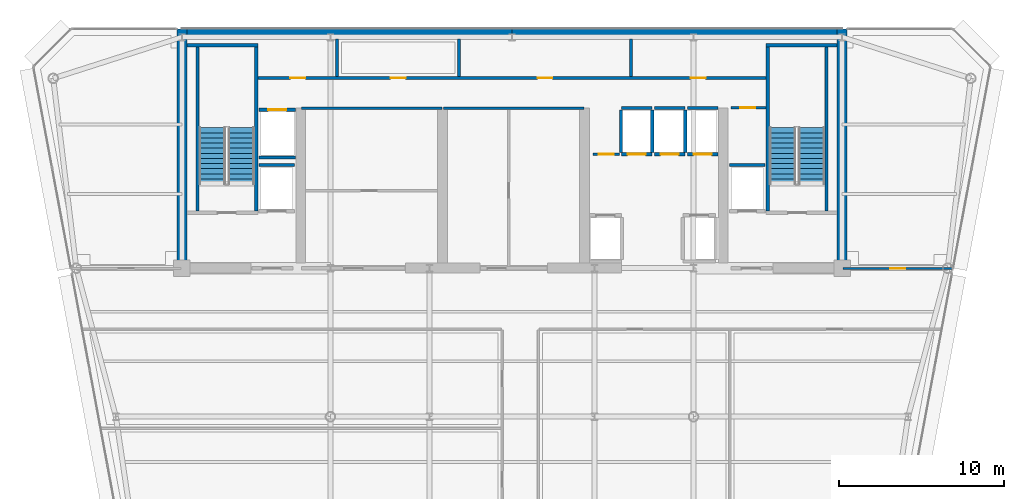
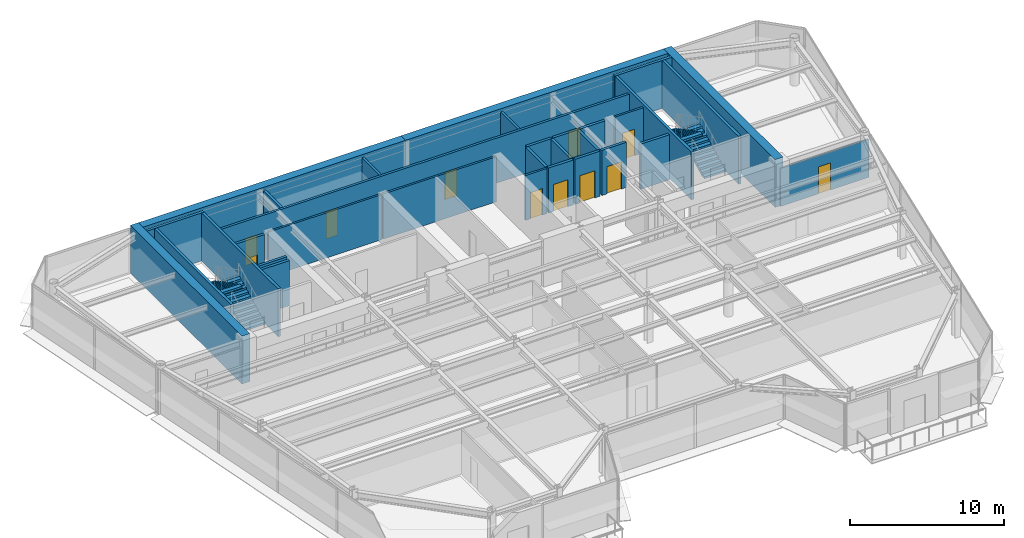
# One storey, part 10 of 14: 32 walls, 11 doors, 4 stair flights, 11 openings, 2 elements without a shape of their own.
"""IFC4 building model written with IfcOpenShell, lengths in metres."""

from ifc_helpers import new_model, si_unit, direction, frame, frame_2d, origin, place, context, subcontext, project, spatial, polyline, rectangle, outline, extrude, source, transform, mapped, material, layer, layer_set, type_object, element, fill, aggregate, save


model = new_model("IFC4")

# Units and contexts
model_context = context("Model", 3, precision=1e-05, world=origin(), true_north=direction((0.0, 1.0)))
body_context = subcontext(model_context, "Body", "Model", "MODEL_VIEW")
ifc_project = project(units=[si_unit("LENGTHUNIT", "METRE"), si_unit("AREAUNIT", "SQUARE_METRE"), si_unit("VOLUMEUNIT", "CUBIC_METRE"), si_unit("PLANEANGLEUNIT", "RADIAN"), si_unit("MASSUNIT", "GRAM", prefix="KILO")], contexts=[model_context])

# Site, building, storey
site_placement = place(None, origin())
site = spatial("IfcSite", under=ifc_project, at=site_placement, CompositionType="ELEMENT")
building_placement = place(site_placement, origin())
building = spatial("IfcBuilding", under=site, at=building_placement, Name="Vaeldorn Concourse Tower", CompositionType="ELEMENT")
storey_placement = place(building_placement, frame((0.0, 0.0, 238.39990234375)))
storey = spatial("IfcBuildingStorey", under=building, at=storey_placement, Name="L61", CompositionType="ELEMENT", Elevation=238.39990234375)

# Walls
ifc_material_1 = material(Name="Concrete C50/60", Category="concrete")
ifc_layer_1 = layer(ifc_material_1, 0.60009765625)
ifc_layer_set_1 = layer_set([ifc_layer_1], Name="Concrete C50/60")
wall_type_1 = type_object("IfcWallType", Name="WL-CORE-600", PredefinedType="SHEAR", material=ifc_layer_set_1)
for number, where, z_axis, x_axis, name in (
    (1, (14.303955078125, 50.699951171875, 0.0), (0.0, 0.0, 1.0), (1.0, 0.0, 0.0), "Rear Core Shear Wall L61 N1"),
    (2, (34.001953125, 50.699951171875, 0.0), (0.0, 0.0, 1.0), (1.0, 0.0, 0.0), "Rear Core Shear Wall L61 N2"),
):
    element("IfcWall", number, at=place(storey_placement, frame(where, z_axis=z_axis, x_axis=x_axis)), inside=storey, type_object=wall_type_1, Name=name, PredefinedType="SHEAR", context=body_context, shape_type="SweptSolid", body=[
        extrude(rectangle(XDim=19.694091796875, YDim=0.60009765625, at=frame_2d((9.84716796875, 0.0))), origin(), (0.0, 0.0, 1.0), 3.800048828125),
    ])
for number, where, z_axis, x_axis, name in (
    (3, (14.0, 36.5, 0.0), (0.0, 0.0, 1.0), (0.0, 1.0, 0.0), "Rear Core Shear Wall L61 W1"),
    (4, (54.0, 36.5, 0.0), (0.0, 0.0, 1.0), (0.0, 1.0, 0.0), "Rear Core Shear Wall L61 E1"),
):
    element("IfcWall", number, at=place(storey_placement, frame(where, z_axis=z_axis, x_axis=x_axis)), inside=storey, type_object=wall_type_1, Name=name, PredefinedType="SHEAR", context=body_context, shape_type="SweptSolid", body=[
        extrude(rectangle(XDim=14.5, YDim=0.60009765625, at=frame_2d((7.25, 0.0))), origin(), (0.0, 0.0, 1.0), 3.800048828125),
    ])

# Wall, opening, door
ifc_material_2 = material(Name="Gypsum Board Partition", Category="gypsum")
ifc_layer_2 = layer(ifc_material_2, 0.1201171875)
ifc_layer_set_2 = layer_set([ifc_layer_2], Name="Gypsum Board Partition")
wall_type_2 = type_object("IfcWallType", Name="WL-PART-120", PredefinedType="PARTITIONING", material=ifc_layer_set_2)
wall_1_placement = place(storey_placement, frame((54.06005859375, 36.47998046875, 0.0), z_axis=(0.0, 0.0, 1.0), x_axis=(1.0, 0.0, 0.0)))
wall_1 = element("IfcWall", 5, at=wall_1_placement, inside=storey, type_object=wall_type_2, Name="Interior Wall PW-L61-NES", PredefinedType="PARTITIONING", context=body_context, shape_type="SweptSolid", body=[
    extrude(rectangle(XDim=6.618896484375, YDim=0.1201171875, at=frame_2d((3.3095703125, 0.0))), origin(), (0.0, 0.0, 1.0), 3.02001953125),
])
opening_1_placement = place(wall_1_placement, frame((2.85888671875, 0.0, 0.0)))
opening_1 = element("IfcOpeningElement", 6, at=opening_1_placement, cuts=wall_1, Name="Opening D-03", PredefinedType="OPENING", context=body_context, shape_type="SweptSolid", body=[
    extrude(rectangle(XDim=0.89990234375, YDim=2.14990234375, at=frame_2d((0.449951171875, 1.074951171875))), frame((0.0, 0.070068359375, 0.0), z_axis=(0.0, -1.0, 0.0), x_axis=(1.0, 0.0, 0.0)), (0.0, 0.0, 1.0), 0.14013671875),
])
ifc_material_3 = material(Name="Acoustic Bronze-Framed Glass Door", Category="glass")
door_type_1 = type_object("IfcDoorType", Name="DR-INT-900", OperationType="NOTDEFINED", PredefinedType="DOOR", material=ifc_material_3)
shared_shape_1 = source(origin(), body_context, "Body", "SweptSolid", [
    extrude(rectangle(XDim=0.89990234375, YDim=2.14990234375, at=frame_2d((0.449951171875, 1.074951171875))), frame((0.0, 0.02490234375, 0.0), z_axis=(0.0, -1.0, 0.0), x_axis=(1.0, 0.0, 0.0)), (0.0, 0.0, 1.0), 0.050048828125),
])
door_1_placement = place(opening_1_placement, origin())
door_1 = element("IfcDoor", 7, at=door_1_placement, inside=storey, type_object=door_type_1, Name="Interior Door DR-L61-NEC", OperationType="SINGLE_SWING_RIGHT", OverallHeight=2.14990234375, OverallWidth=0.89990234375, PredefinedType="DOOR", context=body_context, shape_type="MappedRepresentation", body=[
    mapped(shared_shape_1, transform((0.0, 0.0, 0.0), scale=1.0)),
])
fill(opening_1, door_1)

# Walls
ifc_layer_3 = layer(ifc_material_2, 0.14990234375)
ifc_layer_set_3 = layer_set([ifc_layer_3], Name="Gypsum Board Partition")
wall_type_3 = type_object("IfcWallType", Name="WL-PART-150", PredefinedType="PARTITIONING", material=ifc_layer_set_3)
for number, where, z_axis, x_axis, name in (
    (8, (21.25, 46.199951171875, 0.0), (0.0, 0.0, 1.0), (1.0, 0.0, 0.0), "Interior Wall CW-L61-R1N"),
    (9, (29.85009765625, 46.199951171875, 0.0), (0.0, 0.0, 1.0), (1.0, 0.0, 0.0), "Interior Wall CW-L61-R2N"),
):
    element("IfcWall", number, at=place(storey_placement, frame(where, z_axis=z_axis, x_axis=x_axis)), inside=storey, type_object=wall_type_3, Name=name, PredefinedType="PARTITIONING", context=body_context, shape_type="SweptSolid", body=[
        extrude(rectangle(XDim=8.5, YDim=0.14990234375, at=frame_2d((4.25, 0.0))), origin(), (0.0, 0.0, 1.0), 3.580078125),
    ])

# Wall, opening, door
wall_2_placement = place(storey_placement, frame((47.280029296875, 46.219970703125, 0.0), z_axis=(0.0, 0.0, 1.0), x_axis=(1.0, 0.0, 0.0)))
wall_2 = element("IfcWall", 10, at=wall_2_placement, inside=storey, type_object=wall_type_3, Name="Interior Wall CW-L61-CRSE-N", PredefinedType="PARTITIONING", context=body_context, shape_type="SweptSolid", body=[
    extrude(rectangle(XDim=2.099853515625, YDim=0.14990234375, at=frame_2d((1.0498046875, 0.0))), origin(), (0.0, 0.0, 1.0), 3.580078125),
])
opening_2_placement = place(wall_2_placement, frame((0.550048828125, 0.0, 0.0)))
opening_2 = element("IfcOpeningElement", 11, at=opening_2_placement, cuts=wall_2, Name="Opening D-02", PredefinedType="OPENING", context=body_context, shape_type="SweptSolid", body=[
    extrude(rectangle(XDim=0.89990234375, YDim=2.10009765625, at=frame_2d((0.449951171875, 1.050048828125))), frame((0.0, 0.0849609375, 0.0), z_axis=(0.0, -1.0, 0.0), x_axis=(1.0, 0.0, 0.0)), (0.0, 0.0, 1.0), 0.169921875),
])
ifc_material_4 = material(Name="Fire-Rated Timber Leaf", Category="wood")
door_type_2 = type_object("IfcDoorType", Name="DR-FD30-900", OperationType="NOTDEFINED", PredefinedType="DOOR", material=ifc_material_4)
shared_shape_2 = source(origin(), body_context, "Body", "SweptSolid", [
    extrude(rectangle(XDim=0.89990234375, YDim=2.10009765625, at=frame_2d((0.449951171875, 1.050048828125))), frame((0.0, 0.02490234375, 0.0), z_axis=(0.0, -1.0, 0.0), x_axis=(1.0, 0.0, 0.0)), (0.0, 0.0, 1.0), 0.050048828125),
])
door_2_placement = place(opening_2_placement, origin())
door_2 = element("IfcDoor", 12, at=door_2_placement, inside=storey, type_object=door_type_2, Name="Interior Door DR-L61-CRSE", OperationType="SINGLE_SWING_RIGHT", OverallHeight=2.10009765625, OverallWidth=0.89990234375, PredefinedType="DOOR", context=body_context, shape_type="MappedRepresentation", body=[
    mapped(shared_shape_2, transform((0.0, 0.0, 0.0), scale=1.0)),
])
fill(opening_2, door_2)

wall_3_placement = place(storey_placement, frame((38.919921875, 43.39990234375, 0.0), z_axis=(0.0, 0.0, 1.0), x_axis=(1.0, 0.0, 0.0)))
wall_3 = element("IfcWall", 13, at=wall_3_placement, inside=storey, type_object=wall_type_3, Name="Interior Wall CW-L61-CCLINK", PredefinedType="PARTITIONING", context=body_context, shape_type="SweptSolid", body=[
    extrude(rectangle(XDim=1.60009765625, YDim=0.14990234375, at=frame_2d((0.800048828125, 0.0))), origin(), (0.0, 0.0, 1.0), 3.580078125),
])
opening_3_placement = place(wall_3_placement, frame((0.35009765625, 0.0, 0.0)))
opening_3 = element("IfcOpeningElement", 14, at=opening_3_placement, cuts=wall_3, Name="Opening D-02", PredefinedType="OPENING", context=body_context, shape_type="SweptSolid", body=[
    extrude(rectangle(XDim=0.89990234375, YDim=2.10009765625, at=frame_2d((0.449951171875, 1.050048828125))), frame((0.0, 0.0849609375, 0.0), z_axis=(0.0, -1.0, 0.0), x_axis=(1.0, 0.0, 0.0)), (0.0, 0.0, 1.0), 0.169921875),
])
door_3_placement = place(opening_3_placement, origin())
door_3 = element("IfcDoor", 15, at=door_3_placement, inside=storey, type_object=door_type_2, Name="Interior Door DR-L61-CCLINK", OperationType="SINGLE_SWING_LEFT", OverallHeight=2.10009765625, OverallWidth=0.89990234375, PredefinedType="DOOR", context=body_context, shape_type="MappedRepresentation", body=[
    mapped(shared_shape_2, transform((0.0, 0.0, 0.0), scale=1.0)),
])
fill(opening_3, door_3)

# Wall, openings, doors
ifc_layer_4 = layer(ifc_material_2, 0.179931640625)
ifc_layer_set_4 = layer_set([ifc_layer_4], Name="Gypsum Board Partition")
wall_type_4 = type_object("IfcWallType", Name="WL-PLUMB-180", PredefinedType="PLUMBINGWALL", material=ifc_layer_set_4)
wall_4_placement = place(storey_placement, frame((18.6201171875, 48.02001953125, 0.0), z_axis=(0.0, 0.0, 1.0), x_axis=(1.0, 0.0, 0.0)))
wall_4 = element("IfcWall", 16, at=wall_4_placement, inside=storey, type_object=wall_type_4, Name="Interior Wall CW-L61-NS0", PredefinedType="PLUMBINGWALL", context=body_context, shape_type="SweptSolid", body=[
    extrude(rectangle(XDim=30.759765625, YDim=0.179931640625, at=frame_2d((15.3798828125, 0.0))), origin(), (0.0, 0.0, 1.0), 3.580078125),
])
opening_4_placement = place(wall_4_placement, frame((1.955078125, 0.0, 0.0)))
opening_4 = element("IfcOpeningElement", 17, at=opening_4_placement, cuts=wall_4, Name="Opening D-03", PredefinedType="OPENING", context=body_context, shape_type="SweptSolid", body=[
    extrude(rectangle(XDim=0.89990234375, YDim=2.14990234375, at=frame_2d((0.449951171875, 1.074951171875))), frame((0.0, 0.10009765625, 0.0), z_axis=(0.0, -1.0, 0.0), x_axis=(1.0, 0.0, 0.0)), (0.0, 0.0, 1.0), 0.199951171875),
])
opening_5_placement = place(wall_4_placement, frame((8.030029296875, 0.0, 0.0)))
opening_5 = element("IfcOpeningElement", 18, at=opening_5_placement, cuts=wall_4, Name="Opening D-03", PredefinedType="OPENING", context=body_context, shape_type="SweptSolid", body=[
    extrude(rectangle(XDim=0.89990234375, YDim=2.14990234375, at=frame_2d((0.449951171875, 1.074951171875))), frame((0.0, 0.10009765625, 0.0), z_axis=(0.0, -1.0, 0.0), x_axis=(1.0, 0.0, 0.0)), (0.0, 0.0, 1.0), 0.199951171875),
])
opening_6_placement = place(wall_4_placement, frame((16.929931640625, 0.0, 0.0)))
opening_6 = element("IfcOpeningElement", 19, at=opening_6_placement, cuts=wall_4, Name="Opening D-03", PredefinedType="OPENING", context=body_context, shape_type="SweptSolid", body=[
    extrude(rectangle(XDim=0.89990234375, YDim=2.14990234375, at=frame_2d((0.449951171875, 1.074951171875))), frame((0.0, 0.10009765625, 0.0), z_axis=(0.0, -1.0, 0.0), x_axis=(1.0, 0.0, 0.0)), (0.0, 0.0, 1.0), 0.199951171875),
])
opening_7_placement = place(wall_4_placement, frame((26.205078125, 0.0, 0.0)))
opening_7 = element("IfcOpeningElement", 20, at=opening_7_placement, cuts=wall_4, Name="Opening D-03", PredefinedType="OPENING", context=body_context, shape_type="SweptSolid", body=[
    extrude(rectangle(XDim=0.89990234375, YDim=2.14990234375, at=frame_2d((0.449951171875, 1.074951171875))), frame((0.0, 0.10009765625, 0.0), z_axis=(0.0, -1.0, 0.0), x_axis=(1.0, 0.0, 0.0)), (0.0, 0.0, 1.0), 0.199951171875),
])
door_4_placement = place(opening_4_placement, origin())
door_4 = element("IfcDoor", 21, at=door_4_placement, inside=storey, type_object=door_type_1, Name="Interior Door DR-L61-CS1", OperationType="SINGLE_SWING_LEFT", OverallHeight=2.14990234375, OverallWidth=0.89990234375, PredefinedType="DOOR", context=body_context, shape_type="MappedRepresentation", body=[
    mapped(shared_shape_1, transform((0.0, 0.0, 0.0), scale=1.0)),
])
fill(opening_4, door_4)
door_5_placement = place(opening_5_placement, origin())
door_5 = element("IfcDoor", 22, at=door_5_placement, inside=storey, type_object=door_type_1, Name="Interior Door DR-L61-CS2", OperationType="SINGLE_SWING_RIGHT", OverallHeight=2.14990234375, OverallWidth=0.89990234375, PredefinedType="DOOR", context=body_context, shape_type="MappedRepresentation", body=[
    mapped(shared_shape_1, transform((0.0, 0.0, 0.0), scale=1.0)),
])
fill(opening_5, door_5)
door_6_placement = place(opening_6_placement, origin())
door_6 = element("IfcDoor", 23, at=door_6_placement, inside=storey, type_object=door_type_1, Name="Interior Door DR-L61-CS3", OperationType="SINGLE_SWING_LEFT", OverallHeight=2.14990234375, OverallWidth=0.89990234375, PredefinedType="DOOR", context=body_context, shape_type="MappedRepresentation", body=[
    mapped(shared_shape_1, transform((0.0, 0.0, 0.0), scale=1.0)),
])
fill(opening_6, door_6)
door_7_placement = place(opening_7_placement, origin())
door_7 = element("IfcDoor", 24, at=door_7_placement, inside=storey, type_object=door_type_1, Name="Interior Door DR-L61-CS4", OperationType="SINGLE_SWING_RIGHT", OverallHeight=2.14990234375, OverallWidth=0.89990234375, PredefinedType="DOOR", context=body_context, shape_type="MappedRepresentation", body=[
    mapped(shared_shape_1, transform((0.0, 0.0, 0.0), scale=1.0)),
])
fill(opening_7, door_7)

# Walls
for number, where, z_axis, x_axis, name in (
    (25, (23.39990234375, 48.10009765625, 0.0), (0.0, 0.0, 1.0), (0.0, 1.0, 0.0), "Interior Wall CW-L61-NDIV1"),
    (26, (30.800048828125, 48.10009765625, 0.0), (0.0, 0.0, 1.0), (0.0, 1.0, 0.0), "Interior Wall CW-L61-NDIV2"),
    (27, (41.199951171875, 48.10009765625, 0.0), (0.0, 0.0, 1.0), (0.0, 1.0, 0.0), "Interior Wall CW-L61-NDIV3"),
):
    element("IfcWall", number, at=place(storey_placement, frame(where, z_axis=z_axis, x_axis=x_axis)), inside=storey, type_object=wall_type_4, Name=name, PredefinedType="PLUMBINGWALL", context=body_context, shape_type="SweptSolid", body=[
        extrude(rectangle(XDim=2.27978515625, YDim=0.179931640625, at=frame_2d((1.139892578125, 0.0))), origin(), (0.0, 0.0, 1.0), 3.580078125),
    ])
ifc_layer_5 = layer(ifc_material_1, 0.199951171875)
ifc_layer_set_5 = layer_set([ifc_layer_5], Name="Concrete C50/60")
wall_type_5 = type_object("IfcWallType", Name="WL-SHAFT-200", PredefinedType="SOLIDWALL", material=ifc_layer_set_5)
wall_5_placement = place(storey_placement, frame((14.300048828125, 50.0, 0.0), z_axis=(0.0, 0.0, 1.0), x_axis=(1.0, 0.0, 0.0)))
element("IfcWall", 28, at=wall_5_placement, inside=storey, type_object=wall_type_5, Name="Stair Shaft Wall CW-L61-ST-1-N", PredefinedType="SOLIDWALL", context=body_context, shape_type="SweptSolid", body=[
    extrude(rectangle(XDim=4.300048828125, YDim=0.199951171875, at=frame_2d((2.14990234375, 0.0))), origin(), (0.0, 0.0, 1.0), 3.800048828125),
])
for number, where, z_axis, x_axis, name in (
    (29, (14.949951171875, 39.9599609375, 0.0), (0.0, 0.0, 1.0), (0.0, 1.0, 0.0), "Stair Shaft Wall CW-L61-ST-1-W"),
    (30, (18.5, 39.9599609375, 0.0), (0.0, 0.0, 1.0), (0.0, 1.0, 0.0), "Stair Shaft Wall CW-L61-ST-1-E"),
):
    element("IfcWall", number, at=place(storey_placement, frame(where, z_axis=z_axis, x_axis=x_axis)), inside=storey, type_object=wall_type_5, Name=name, PredefinedType="SOLIDWALL", context=body_context, shape_type="SweptSolid", body=[
        extrude(rectangle(XDim=9.929931640625, YDim=0.199951171875, at=frame_2d((4.96484375, 0.0))), origin(), (0.0, 0.0, 1.0), 3.800048828125),
    ])
wall_6_placement = place(storey_placement, frame((49.39990234375, 50.0, 0.0), z_axis=(0.0, 0.0, 1.0), x_axis=(1.0, 0.0, 0.0)))
element("IfcWall", 31, at=wall_6_placement, inside=storey, type_object=wall_type_5, Name="Stair Shaft Wall CW-L61-ST-2-N", PredefinedType="SOLIDWALL", context=body_context, shape_type="SweptSolid", body=[
    extrude(rectangle(XDim=4.300048828125, YDim=0.199951171875, at=frame_2d((2.14990234375, 0.0))), origin(), (0.0, 0.0, 1.0), 3.800048828125),
])
for number, where, z_axis, x_axis, name in (
    (32, (49.5, 39.9599609375, 0.0), (0.0, 0.0, 1.0), (0.0, 1.0, 0.0), "Stair Shaft Wall CW-L61-ST-2-W"),
    (33, (53.050048828125, 39.9599609375, 0.0), (0.0, 0.0, 1.0), (0.0, 1.0, 0.0), "Stair Shaft Wall CW-L61-ST-2-E"),
):
    element("IfcWall", number, at=place(storey_placement, frame(where, z_axis=z_axis, x_axis=x_axis)), inside=storey, type_object=wall_type_5, Name=name, PredefinedType="SOLIDWALL", context=body_context, shape_type="SweptSolid", body=[
        extrude(rectangle(XDim=9.929931640625, YDim=0.199951171875, at=frame_2d((4.96484375, 0.0))), origin(), (0.0, 0.0, 1.0), 3.800048828125),
    ])

# Wall, opening, door
wall_7_placement = place(storey_placement, frame((40.6201171875, 43.39990234375, 0.0), z_axis=(0.0, 0.0, 1.0), x_axis=(1.0, 0.0, 0.0)))
wall_7 = element("IfcWall", 34, at=wall_7_placement, inside=storey, type_object=wall_type_5, Name="Interior Wall CW-L61-LF-LF-15", PredefinedType="SOLIDWALL", context=body_context, shape_type="SweptSolid", body=[
    extrude(rectangle(XDim=1.85986328125, YDim=0.199951171875, at=frame_2d((0.929931640625, 0.0))), origin(), (0.0, 0.0, 1.0), 3.580078125),
])
opening_8_placement = place(wall_7_placement, frame((0.3798828125, 0.0, 0.0)))
opening_8 = element("IfcOpeningElement", 35, at=opening_8_placement, cuts=wall_7, Name="Opening LD-1", PredefinedType="OPENING", context=body_context, shape_type="SweptSolid", body=[
    extrude(rectangle(XDim=1.10009765625, YDim=2.14990234375, at=frame_2d((0.550048828125, 1.074951171875))), frame((0.0, 0.10986328125, 0.0), z_axis=(0.0, -1.0, 0.0), x_axis=(1.0, 0.0, 0.0)), (0.0, 0.0, 1.0), 0.219970703125),
])
ifc_material_5 = material(Name="Anodised Bronze Aluminium", Category="aluminium")
door_type_3 = type_object("IfcDoorType", Name="DR-LIFT-SLIDE-1100", OperationType="DOUBLE_DOOR_SLIDING", PredefinedType="DOOR", material=ifc_material_5)
shared_shape_3 = source(origin(), body_context, "Body", "SweptSolid", [
    extrude(rectangle(XDim=1.10009765625, YDim=2.14990234375, at=frame_2d((0.550048828125, 1.074951171875))), frame((0.0, 0.02490234375, 0.0), z_axis=(0.0, -1.0, 0.0), x_axis=(1.0, 0.0, 0.0)), (0.0, 0.0, 1.0), 0.050048828125),
])
door_8_placement = place(opening_8_placement, origin())
door_8 = element("IfcDoor", 36, at=door_8_placement, inside=storey, type_object=door_type_3, Name="Lift Landing Door LD-L61-LF-15", OperationType="DOUBLE_DOOR_SLIDING", OverallHeight=2.14990234375, OverallWidth=1.10009765625, PredefinedType="DOOR", context=body_context, shape_type="MappedRepresentation", body=[
    mapped(shared_shape_3, transform((0.0, 0.0, 0.0), scale=1.0)),
])
fill(opening_8, door_8)

# Walls
wall_8_placement = place(storey_placement, frame((40.6201171875, 46.199951171875, 0.0), z_axis=(0.0, 0.0, 1.0), x_axis=(1.0, 0.0, 0.0)))
element("IfcWall", 37, at=wall_8_placement, inside=storey, type_object=wall_type_5, Name="Interior Wall CW-L61-LFB-LF-15", PredefinedType="SOLIDWALL", context=body_context, shape_type="SweptSolid", body=[
    extrude(rectangle(XDim=1.85986328125, YDim=0.199951171875, at=frame_2d((0.929931640625, 0.0))), origin(), (0.0, 0.0, 1.0), 3.580078125),
])
for number, where, z_axis, x_axis, name in (
    (38, (40.60009765625, 43.52001953125, 0.0), (0.0, 0.0, 1.0), (0.0, 1.0, 0.0), "Interior Wall CW-L61-LFW-LF-15"),
    (39, (42.5, 43.52001953125, 0.0), (0.0, 0.0, 1.0), (0.0, 1.0, 0.0), "Interior Wall CW-L61-LFE-LF-15"),
):
    element("IfcWall", number, at=place(storey_placement, frame(where, z_axis=z_axis, x_axis=x_axis)), inside=storey, type_object=wall_type_5, Name=name, PredefinedType="SOLIDWALL", context=body_context, shape_type="SweptSolid", body=[
        extrude(rectangle(XDim=2.56005859375, YDim=0.199951171875, at=frame_2d((1.280029296875, 0.0))), origin(), (0.0, 0.0, 1.0), 3.580078125),
    ])

# Wall, opening, door
wall_9_placement = place(storey_placement, frame((42.6201171875, 43.39990234375, 0.0), z_axis=(0.0, 0.0, 1.0), x_axis=(1.0, 0.0, 0.0)))
wall_9 = element("IfcWall", 40, at=wall_9_placement, inside=storey, type_object=wall_type_5, Name="Interior Wall CW-L61-LF-LF-16", PredefinedType="SOLIDWALL", context=body_context, shape_type="SweptSolid", body=[
    extrude(rectangle(XDim=1.85986328125, YDim=0.199951171875, at=frame_2d((0.929931640625, 0.0))), origin(), (0.0, 0.0, 1.0), 3.580078125),
])
opening_9_placement = place(wall_9_placement, frame((0.3798828125, 0.0, 0.0)))
opening_9 = element("IfcOpeningElement", 41, at=opening_9_placement, cuts=wall_9, Name="Opening LD-1", PredefinedType="OPENING", context=body_context, shape_type="SweptSolid", body=[
    extrude(rectangle(XDim=1.10009765625, YDim=2.14990234375, at=frame_2d((0.550048828125, 1.074951171875))), frame((0.0, 0.10986328125, 0.0), z_axis=(0.0, -1.0, 0.0), x_axis=(1.0, 0.0, 0.0)), (0.0, 0.0, 1.0), 0.219970703125),
])
door_9_placement = place(opening_9_placement, origin())
door_9 = element("IfcDoor", 42, at=door_9_placement, inside=storey, type_object=door_type_3, Name="Lift Landing Door LD-L61-LF-16", OperationType="DOUBLE_DOOR_SLIDING", OverallHeight=2.14990234375, OverallWidth=1.10009765625, PredefinedType="DOOR", context=body_context, shape_type="MappedRepresentation", body=[
    mapped(shared_shape_3, transform((0.0, 0.0, 0.0), scale=1.0)),
])
fill(opening_9, door_9)

# Walls
wall_10_placement = place(storey_placement, frame((42.6201171875, 46.199951171875, 0.0), z_axis=(0.0, 0.0, 1.0), x_axis=(1.0, 0.0, 0.0)))
element("IfcWall", 43, at=wall_10_placement, inside=storey, type_object=wall_type_5, Name="Interior Wall CW-L61-LFB-LF-16", PredefinedType="SOLIDWALL", context=body_context, shape_type="SweptSolid", body=[
    extrude(rectangle(XDim=1.85986328125, YDim=0.199951171875, at=frame_2d((0.929931640625, 0.0))), origin(), (0.0, 0.0, 1.0), 3.580078125),
])
wall_11_placement = place(storey_placement, frame((44.5, 43.52001953125, 0.0), z_axis=(0.0, 0.0, 1.0), x_axis=(0.0, 1.0, 0.0)))
element("IfcWall", 44, at=wall_11_placement, inside=storey, type_object=wall_type_5, Name="Interior Wall CW-L61-LFE-LF-16", PredefinedType="SOLIDWALL", context=body_context, shape_type="SweptSolid", body=[
    extrude(rectangle(XDim=2.56005859375, YDim=0.199951171875, at=frame_2d((1.280029296875, 0.0))), origin(), (0.0, 0.0, 1.0), 3.580078125),
])

# Wall, opening, door
wall_12_placement = place(storey_placement, frame((44.6201171875, 43.39990234375, 0.0), z_axis=(0.0, 0.0, 1.0), x_axis=(1.0, 0.0, 0.0)))
wall_12 = element("IfcWall", 45, at=wall_12_placement, inside=storey, type_object=wall_type_5, Name="Interior Wall CW-L61-LF-LF-17", PredefinedType="SOLIDWALL", context=body_context, shape_type="SweptSolid", body=[
    extrude(rectangle(XDim=1.85986328125, YDim=0.199951171875, at=frame_2d((0.929931640625, 0.0))), origin(), (0.0, 0.0, 1.0), 3.580078125),
])
opening_10_placement = place(wall_12_placement, frame((0.3798828125, 0.0, 0.0)))
opening_10 = element("IfcOpeningElement", 46, at=opening_10_placement, cuts=wall_12, Name="Opening LD-1", PredefinedType="OPENING", context=body_context, shape_type="SweptSolid", body=[
    extrude(rectangle(XDim=1.10009765625, YDim=2.14990234375, at=frame_2d((0.550048828125, 1.074951171875))), frame((0.0, 0.10986328125, 0.0), z_axis=(0.0, -1.0, 0.0), x_axis=(1.0, 0.0, 0.0)), (0.0, 0.0, 1.0), 0.219970703125),
])
door_10_placement = place(opening_10_placement, origin())
door_10 = element("IfcDoor", 47, at=door_10_placement, inside=storey, type_object=door_type_3, Name="Lift Landing Door LD-L61-LF-17", OperationType="DOUBLE_DOOR_SLIDING", OverallHeight=2.14990234375, OverallWidth=1.10009765625, PredefinedType="DOOR", context=body_context, shape_type="MappedRepresentation", body=[
    mapped(shared_shape_3, transform((0.0, 0.0, 0.0), scale=1.0)),
])
fill(opening_10, door_10)

# Wall
wall_13_placement = place(storey_placement, frame((44.6201171875, 46.199951171875, 0.0), z_axis=(0.0, 0.0, 1.0), x_axis=(1.0, 0.0, 0.0)))
element("IfcWall", 48, at=wall_13_placement, inside=storey, type_object=wall_type_5, Name="Interior Wall CW-L61-LFB-LF-17", PredefinedType="SOLIDWALL", context=body_context, shape_type="SweptSolid", body=[
    extrude(rectangle(XDim=1.85986328125, YDim=0.199951171875, at=frame_2d((0.929931640625, 0.0))), origin(), (0.0, 0.0, 1.0), 3.580078125),
])

# Wall, opening, door
wall_14_placement = place(storey_placement, frame((18.669921875, 46.10009765625, 0.0), z_axis=(0.0, 0.0, 1.0), x_axis=(1.0, 0.0, 0.0)))
wall_14 = element("IfcWall", 49, at=wall_14_placement, inside=storey, type_object=wall_type_5, Name="Interior Wall CW-L61-LF-LF-SV1", PredefinedType="SOLIDWALL", context=body_context, shape_type="SweptSolid", body=[
    extrude(rectangle(XDim=2.219970703125, YDim=0.199951171875, at=frame_2d((1.10986328125, 0.0))), origin(), (0.0, 0.0, 1.0), 3.580078125),
])
opening_11_placement = place(wall_14_placement, frame((0.56005859375, 0.0, 0.0)))
opening_11 = element("IfcOpeningElement", 50, at=opening_11_placement, cuts=wall_14, Name="Opening LD-1", PredefinedType="OPENING", context=body_context, shape_type="SweptSolid", body=[
    extrude(rectangle(XDim=1.10009765625, YDim=2.14990234375, at=frame_2d((0.550048828125, 1.074951171875))), frame((0.0, 0.10986328125, 0.0), z_axis=(0.0, -1.0, 0.0), x_axis=(1.0, 0.0, 0.0)), (0.0, 0.0, 1.0), 0.219970703125),
])
door_11_placement = place(opening_11_placement, origin())
door_11 = element("IfcDoor", 51, at=door_11_placement, inside=storey, type_object=door_type_3, Name="Lift Landing Door LD-L61-LF-SV1", OperationType="DOUBLE_DOOR_SLIDING", OverallHeight=2.14990234375, OverallWidth=1.10009765625, PredefinedType="DOOR", context=body_context, shape_type="MappedRepresentation", body=[
    mapped(shared_shape_3, transform((0.0, 0.0, 0.0), scale=1.0)),
])
fill(opening_11, door_11)

# Walls
wall_15_placement = place(storey_placement, frame((18.669921875, 43.199951171875, 0.0), z_axis=(0.0, 0.0, 1.0), x_axis=(1.0, 0.0, 0.0)))
element("IfcWall", 52, at=wall_15_placement, inside=storey, type_object=wall_type_5, Name="Interior Wall CW-L61-LFB-LF-SV1", PredefinedType="SOLIDWALL", context=body_context, shape_type="SweptSolid", body=[
    extrude(rectangle(XDim=2.219970703125, YDim=0.199951171875, at=frame_2d((1.10986328125, 0.0))), origin(), (0.0, 0.0, 1.0), 3.580078125),
])
for number, where, z_axis, x_axis, name in (
    (53, (18.669921875, 42.75, 0.0), (0.0, 0.0, 1.0), (1.0, 0.0, 0.0), "Interior Wall CW-L61-LFB-LF-FF1"),
    (54, (47.169921875, 42.75, 0.0), (0.0, 0.0, 1.0), (1.0, 0.0, 0.0), "Interior Wall CW-L61-LFB-LF-FF2"),
):
    element("IfcWall", number, at=place(storey_placement, frame(where, z_axis=z_axis, x_axis=x_axis)), inside=storey, type_object=wall_type_5, Name=name, PredefinedType="SOLIDWALL", context=body_context, shape_type="SweptSolid", body=[
        extrude(rectangle(XDim=2.16015625, YDim=0.199951171875, at=frame_2d((1.080078125, 0.0))), origin(), (0.0, 0.0, 1.0), 3.580078125),
    ])

# Stair, stair flights
ifc_material_6 = material(Name="Precast concrete C40/50", Category="concrete")
stair_type = type_object("IfcStairType", Name="STR-DOG-24x158", PredefinedType="HALF_TURN_STAIR", material=ifc_material_6)
stair_1_placement = place(storey_placement, origin())
stair_1 = element("IfcStair", 55, at=stair_1_placement, inside=storey, type_object=stair_type, Name="L61 West Core Exit Stair ST-1", PredefinedType="HALF_TURN_STAIR")
stair_flight_type = type_object("IfcStairFlightType", Name="STF-STR-12x158", PredefinedType="STRAIGHT", material=ifc_material_6)
stair_flight_1_placement = place(storey_placement, frame((17.60009765625, 41.60009765625, 0.0), z_axis=(0.0, 0.0, 1.0), x_axis=(0.0, 1.0, 0.0)))
stair_flight_1 = element("IfcStairFlight", 56, at=stair_flight_1_placement, type_object=stair_flight_type, Name="ST-1 flight 1", NumberOfRisers=12, NumberOfTreads=11, PredefinedType="STRAIGHT", RiserHeight=0.158333333, TreadLength=0.31, context=body_context, shape_type="SweptSolid", body=[
    extrude(outline(polyline([(0.0, 0.0), (0.0, 0.158447265625), (0.31005859375, 0.158447265625), (0.31005859375, 0.316650390625), (0.6201171875, 0.316650390625), (0.6201171875, 0.47509765625), (0.929931640625, 0.47509765625), (0.929931640625, 0.63330078125), (1.239990234375, 0.63330078125), (1.239990234375, 0.791748046875), (1.550048828125, 0.791748046875), (1.550048828125, 0.949951171875), (1.860107421875, 0.949951171875), (1.860107421875, 1.1083984375), (2.169921875, 1.1083984375), (2.169921875, 1.2666015625), (2.47998046875, 1.2666015625), (2.47998046875, 1.425048828125), (2.7900390625, 1.425048828125), (2.7900390625, 1.583251953125), (3.10009765625, 1.583251953125), (3.10009765625, 1.74169921875), (3.409912109375, 1.74169921875), (3.409912109375, 1.89990234375), (3.409912109375, 1.5732421875), (0.32958984375, 0.0), (0.0, 0.0)])), frame((0.0, 0.800048828125, 0.0), z_axis=(0.0, -1.0, 0.0), x_axis=(1.0, 0.0, 0.0)), (0.0, 0.0, 1.0), 1.60009765625),
])
stair_flight_2_placement = place(storey_placement, frame((15.85009765625, 45.010009765625, 1.900146484375), z_axis=(0.0, 0.0, 1.0), x_axis=(0.0, -1.0, 0.0)))
stair_flight_2 = element("IfcStairFlight", 57, at=stair_flight_2_placement, type_object=stair_flight_type, Name="ST-1 flight 2", NumberOfRisers=12, NumberOfTreads=11, PredefinedType="STRAIGHT", RiserHeight=0.158333333, TreadLength=0.31, context=body_context, shape_type="SweptSolid", body=[
    extrude(outline(polyline([(0.0, 0.0), (0.0, 0.158447265625), (0.31005859375, 0.158447265625), (0.31005859375, 0.316650390625), (0.6201171875, 0.316650390625), (0.6201171875, 0.47509765625), (0.929931640625, 0.47509765625), (0.929931640625, 0.63330078125), (1.239990234375, 0.63330078125), (1.239990234375, 0.791748046875), (1.550048828125, 0.791748046875), (1.550048828125, 0.949951171875), (1.860107421875, 0.949951171875), (1.860107421875, 1.1083984375), (2.169921875, 1.1083984375), (2.169921875, 1.2666015625), (2.47998046875, 1.2666015625), (2.47998046875, 1.425048828125), (2.7900390625, 1.425048828125), (2.7900390625, 1.583251953125), (3.10009765625, 1.583251953125), (3.10009765625, 1.74169921875), (3.409912109375, 1.74169921875), (3.409912109375, 1.89990234375), (3.409912109375, 1.5732421875), (0.32958984375, 0.0), (0.0, 0.0)])), frame((0.0, 0.800048828125, 0.0), z_axis=(0.0, -1.0, 0.0), x_axis=(1.0, 0.0, 0.0)), (0.0, 0.0, 1.0), 1.60009765625),
])
aggregate(stair_1, [stair_flight_1, stair_flight_2])

stair_2_placement = place(storey_placement, origin())
stair_2 = element("IfcStair", 58, at=stair_2_placement, inside=storey, type_object=stair_type, Name="L61 East Core Exit Stair ST-2", PredefinedType="HALF_TURN_STAIR")
stair_flight_3_placement = place(storey_placement, frame((52.14990234375, 41.60009765625, 0.0), z_axis=(0.0, 0.0, 1.0), x_axis=(0.0, 1.0, 0.0)))
stair_flight_3 = element("IfcStairFlight", 59, at=stair_flight_3_placement, type_object=stair_flight_type, Name="ST-2 flight 1", NumberOfRisers=12, NumberOfTreads=11, PredefinedType="STRAIGHT", RiserHeight=0.158333333, TreadLength=0.31, context=body_context, shape_type="SweptSolid", body=[
    extrude(outline(polyline([(0.0, 0.0), (0.0, 0.158447265625), (0.31005859375, 0.158447265625), (0.31005859375, 0.316650390625), (0.6201171875, 0.316650390625), (0.6201171875, 0.47509765625), (0.929931640625, 0.47509765625), (0.929931640625, 0.63330078125), (1.239990234375, 0.63330078125), (1.239990234375, 0.791748046875), (1.550048828125, 0.791748046875), (1.550048828125, 0.949951171875), (1.860107421875, 0.949951171875), (1.860107421875, 1.1083984375), (2.169921875, 1.1083984375), (2.169921875, 1.2666015625), (2.47998046875, 1.2666015625), (2.47998046875, 1.425048828125), (2.7900390625, 1.425048828125), (2.7900390625, 1.583251953125), (3.10009765625, 1.583251953125), (3.10009765625, 1.74169921875), (3.409912109375, 1.74169921875), (3.409912109375, 1.89990234375), (3.409912109375, 1.5732421875), (0.32958984375, 0.0), (0.0, 0.0)])), frame((0.0, 0.800048828125, 0.0), z_axis=(0.0, -1.0, 0.0), x_axis=(1.0, 0.0, 0.0)), (0.0, 0.0, 1.0), 1.60009765625),
])
stair_flight_4_placement = place(storey_placement, frame((50.39990234375, 45.010009765625, 1.900146484375), z_axis=(0.0, 0.0, 1.0), x_axis=(0.0, -1.0, 0.0)))
stair_flight_4 = element("IfcStairFlight", 60, at=stair_flight_4_placement, type_object=stair_flight_type, Name="ST-2 flight 2", NumberOfRisers=12, NumberOfTreads=11, PredefinedType="STRAIGHT", RiserHeight=0.158333333, TreadLength=0.31, context=body_context, shape_type="SweptSolid", body=[
    extrude(outline(polyline([(0.0, 0.0), (0.0, 0.158447265625), (0.31005859375, 0.158447265625), (0.31005859375, 0.316650390625), (0.6201171875, 0.316650390625), (0.6201171875, 0.47509765625), (0.929931640625, 0.47509765625), (0.929931640625, 0.63330078125), (1.239990234375, 0.63330078125), (1.239990234375, 0.791748046875), (1.550048828125, 0.791748046875), (1.550048828125, 0.949951171875), (1.860107421875, 0.949951171875), (1.860107421875, 1.1083984375), (2.169921875, 1.1083984375), (2.169921875, 1.2666015625), (2.47998046875, 1.2666015625), (2.47998046875, 1.425048828125), (2.7900390625, 1.425048828125), (2.7900390625, 1.583251953125), (3.10009765625, 1.583251953125), (3.10009765625, 1.74169921875), (3.409912109375, 1.74169921875), (3.409912109375, 1.89990234375), (3.409912109375, 1.5732421875), (0.32958984375, 0.0), (0.0, 0.0)])), frame((0.0, 0.800048828125, 0.0), z_axis=(0.0, -1.0, 0.0), x_axis=(1.0, 0.0, 0.0)), (0.0, 0.0, 1.0), 1.60009765625),
])
aggregate(stair_2, [stair_flight_3, stair_flight_4])

save(model, "model.ifc")
